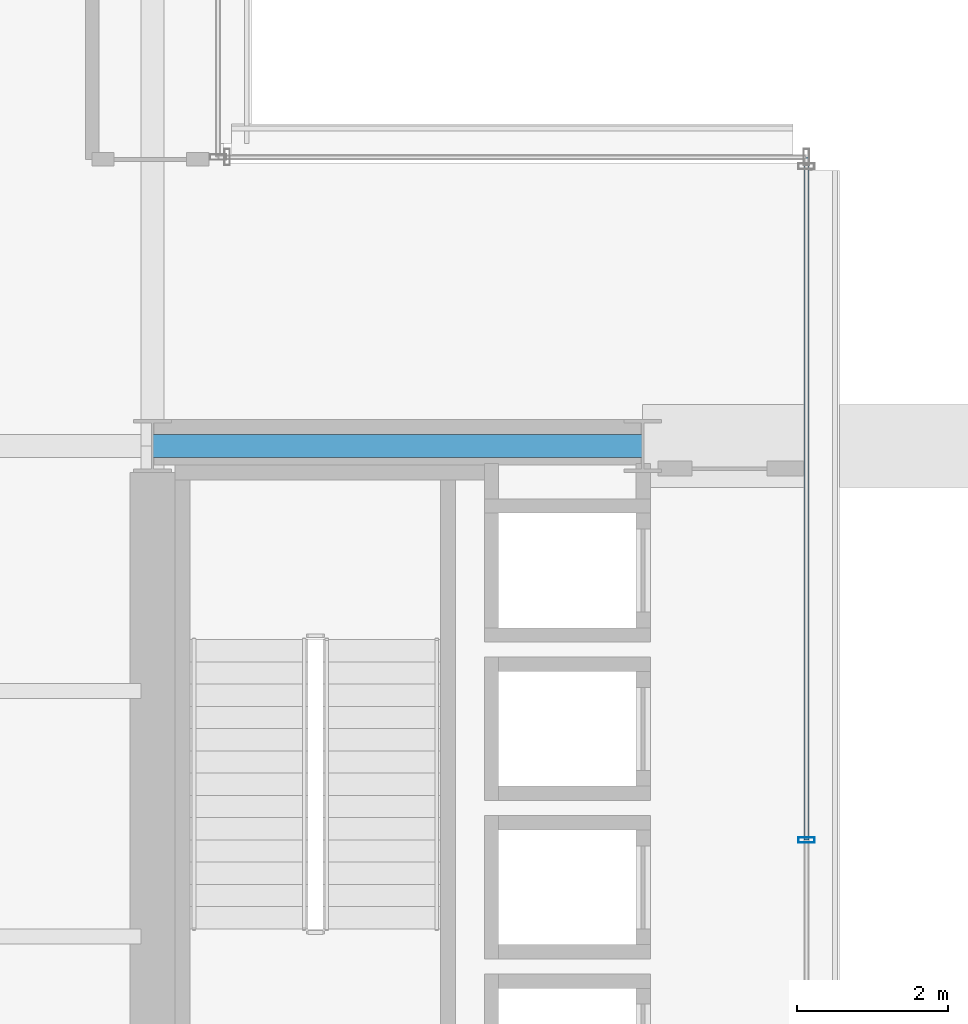
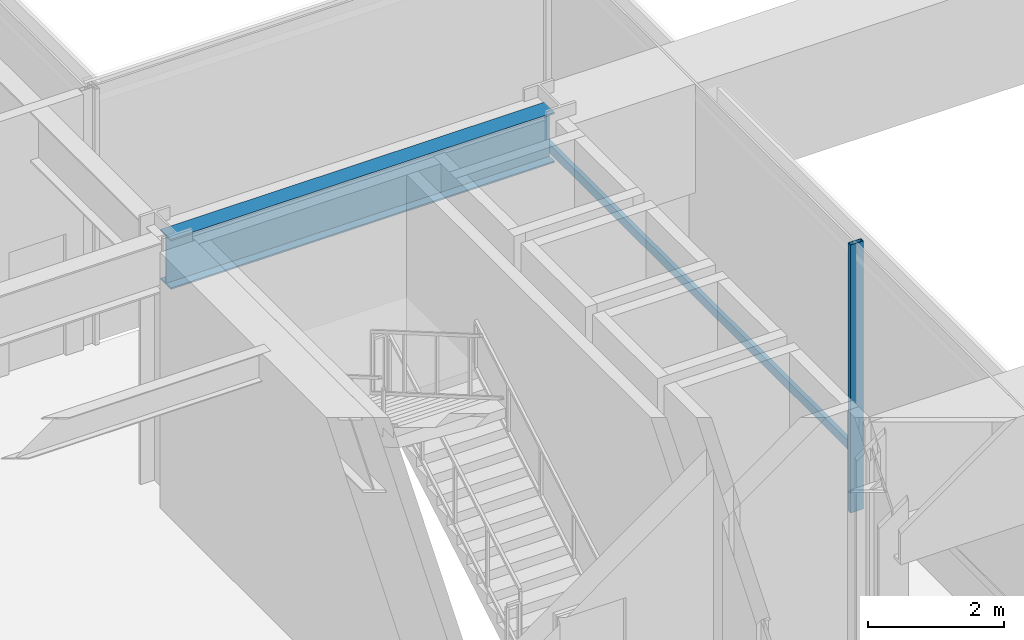
# One storey, part 17 of 42: 2 members, 1 beam, 1 element without a shape of its own.
"""IFC4 building model written with IfcOpenShell, lengths in metres."""

import ifcopenshell
import ifcopenshell.guid

model = None  # the IFC model being written
_history = None  # IfcOwnerHistory: only IFC2X3 demands one
_inside = {}  # id of a spatial element -> (the spatial element, [elements in it])
_under = {}  # id of a project, library or spatial element -> (it, [spatial elements below it])
_declared = {}  # id of a project -> (the project, [libraries it declares])
_typed = {}  # id of a type object -> (the type object, [elements of that type])
_made_of = {}  # id of a material, layer set ... -> (it, [elements and type objects made of it])


def new_model(schema):
    """Start an empty IFC model of exactly this schema.

    Asked for "IFC4X3", IfcOpenShell would pick the latest addendum, in which some entities
    have other attributes; the version numbers below select the first issue.
    IFC2X3 requires an IfcOwnerHistory on every rooted entity: one is made here for all.
    """
    global model, _history
    if schema == "IFC4X3":
        model = ifcopenshell.file(schema_version=(4, 3, 0, 0))
    else:
        model = ifcopenshell.file(schema=schema)
    _inside.clear()
    _under.clear()
    _declared.clear()
    _typed.clear()
    _made_of.clear()
    _history = None
    if model.schema == "IFC2X3":
        org = make("IfcOrganization", Name="unknown")
        user = make(
            "IfcPersonAndOrganization",
            ThePerson=make("IfcPerson", FamilyName="unknown"),
            TheOrganization=org,
        )
        app = make(
            "IfcApplication",
            ApplicationDeveloper=org,
            Version="unknown",
            ApplicationFullName="unknown",
            ApplicationIdentifier="unknown",
        )
        _history = make(
            "IfcOwnerHistory",
            OwningUser=user,
            OwningApplication=app,
            ChangeAction="ADDED",
            CreationDate=0,
        )
    return model


def make(cls, **values):
    """One entity of the class cls with the attributes given. An attribute that is None is left unset."""
    return model.create_entity(
        cls, **{name: value for name, value in values.items() if value is not None}
    )


def rooted(cls, **values):
    """An entity with a GlobalId (a new one), such as an element, a storey or a relation."""
    return make(cls, GlobalId=ifcopenshell.guid.new(), OwnerHistory=_history, **values)


def si_unit(unit_type, name, prefix=None):
    """IfcSIUnit, for example si_unit("LENGTHUNIT", "METRE", prefix="MILLI")."""
    return make("IfcSIUnit", UnitType=unit_type, Prefix=prefix, Name=name)


def assignment(units):
    """IfcUnitAssignment: the units of a project."""
    return None if units is None else make("IfcUnitAssignment", Units=units)


def point(xyz):
    """IfcCartesianPoint."""
    return None if xyz is None else make("IfcCartesianPoint", Coordinates=xyz)


def direction(xyz):
    """IfcDirection."""
    return None if xyz is None else make("IfcDirection", DirectionRatios=xyz)


def frame(location, z_axis=None, x_axis=None):
    """IfcAxis2Placement3D, a coordinate frame: its origin and axes. An axis left out is left unset."""
    return make(
        "IfcAxis2Placement3D",
        Location=point(location),
        Axis=direction(z_axis),
        RefDirection=direction(x_axis),
    )


def frame_2d(location, x_axis=None):
    """IfcAxis2Placement2D, a coordinate frame in the plane: its origin and x axis."""
    return make(
        "IfcAxis2Placement2D", Location=point(location), RefDirection=direction(x_axis)
    )


def origin():
    """The frame at (0, 0, 0) with its axes left unset."""
    return frame((0.0, 0.0, 0.0))


def origin_2d():
    """The frame at (0, 0) in the plane with its x axis left unset."""
    return frame_2d((0.0, 0.0))


def place(relative_to, where):
    """IfcLocalPlacement: puts the frame where relative to a parent placement (None: the world)."""
    return make(
        "IfcLocalPlacement", PlacementRelTo=relative_to, RelativePlacement=where
    )


def context(
    kind, dimensions, precision=None, world=None, true_north=None, identifier=None
):
    """IfcGeometricRepresentationContext, for example the 3D "Model" context."""
    return make(
        "IfcGeometricRepresentationContext",
        ContextIdentifier=identifier,
        ContextType=kind,
        CoordinateSpaceDimension=dimensions,
        Precision=precision,
        WorldCoordinateSystem=world,
        TrueNorth=true_north,
    )


def subcontext(parent, identifier, kind, view, scale=None):
    """IfcGeometricRepresentationSubContext, for example "Body" below "Model"."""
    return make(
        "IfcGeometricRepresentationSubContext",
        ContextIdentifier=identifier,
        ContextType=kind,
        ParentContext=parent,
        TargetScale=scale,
        TargetView=view,
    )


def project(units=None, contexts=None):
    """IfcProject with its units and contexts."""
    return rooted(
        "IfcProject",
        Name="project",
        RepresentationContexts=contexts,
        UnitsInContext=assignment(units),
    )


def spatial(cls, under=None, at=None, **own):
    """A site, building, storey or space (cls), placed at a placement, below another one or the project."""
    s = rooted(cls, ObjectPlacement=at, **own)
    if under is not None:
        _under.setdefault(under.id(), (under, []))[1].append(s)
    return s


def profile(cls, at=None, kind="AREA", **sizes):
    """A parametric profile (cls). Its sizes go by their IFC names, for example OverallWidth=200.0."""
    return make(cls, ProfileType=kind, Position=at, **sizes)


def hollow_rectangle(**sizes):
    """IfcRectangleHollowProfileDef."""
    return profile("IfcRectangleHollowProfileDef", **sizes)


def i_section(**sizes):
    """IfcIShapeProfileDef."""
    return profile("IfcIShapeProfileDef", **sizes)


def extrude(swept, where, along, depth):
    """IfcExtrudedAreaSolid: the profile swept, set in the frame where, extruded along a direction by depth."""
    return make(
        "IfcExtrudedAreaSolid",
        SweptArea=swept,
        Position=where,
        ExtrudedDirection=direction(along),
        Depth=depth,
    )


def shape(context_of_items, identifier, shape_type, items):
    """IfcShapeRepresentation: the items that make up one representation, for example the "Body"."""
    return make(
        "IfcShapeRepresentation",
        ContextOfItems=context_of_items,
        RepresentationIdentifier=identifier,
        RepresentationType=shape_type,
        Items=items,
    )


def material(Name=None, Category=None):
    """IfcMaterial."""
    return make("IfcMaterial", Name=Name, Category=Category)


def layer(
    of_material, thickness, ventilated=None, Name=None, Category=None, Priority=None
):
    """IfcMaterialLayer: one layer of a wall or slab, of a material (None: an air gap)."""
    return make(
        "IfcMaterialLayer",
        Material=of_material,
        LayerThickness=thickness,
        IsVentilated=ventilated,
        Name=Name,
        Category=Category,
        Priority=Priority,
    )


def layer_set(layers, Name=None):
    """IfcMaterialLayerSet."""
    return make("IfcMaterialLayerSet", MaterialLayers=layers, LayerSetName=Name)


def material_profile(
    of_material, cross_section, Name=None, Category=None, Priority=None
):
    """IfcMaterialProfile: a cross section and its material."""
    return make(
        "IfcMaterialProfile",
        Name=Name,
        Material=of_material,
        Profile=cross_section,
        Priority=Priority,
        Category=Category,
    )


def profile_set(profiles, Name=None, composite=None):
    """IfcMaterialProfileSet."""
    return make(
        "IfcMaterialProfileSet",
        Name=Name,
        MaterialProfiles=profiles,
        CompositeProfile=composite,
    )


def made_of(thing, what):
    """Note that an element or type object is made of a material, layer set ...; save() writes the relation."""
    if what is not None:
        _made_of.setdefault(what.id(), (what, []))[1].append(thing)
    return thing


def type_object(cls, material=None, **own):
    """A type object (cls), such as IfcWallType, which elements share."""
    return made_of(rooted(cls, **own), material)


def element(
    cls,
    number,
    at=None,
    inside=None,
    cuts=None,
    type_object=None,
    material=None,
    context=None,
    identifier="Body",
    shape_type=None,
    held_by="IfcProductDefinitionShape",
    body=None,
    shapes=None,
    **own,
):
    """One element of the class cls, such as IfcWall. Its Tag is "e" and its number.

    at: its placement. inside: the storey or other place that contains it. cuts: it is an
    opening in that element (IfcRelVoidsElement). A single representation is given by context,
    identifier, shape_type and body (its items); several are given by shapes. held_by: the class
    of the entity that holds the representations. save() writes the other relations.
    """
    e = rooted(cls, Tag="e%d" % number, ObjectPlacement=at, **own)
    if body is not None:
        shapes = [shape(context, identifier, shape_type, body)]
    if shapes is not None:
        e.Representation = make(held_by, Representations=shapes)
    if inside is not None:
        _inside.setdefault(inside.id(), (inside, []))[1].append(e)
    if cuts is not None:
        rooted(
            "IfcRelVoidsElement", RelatingBuildingElement=cuts, RelatedOpeningElement=e
        )
    if type_object is not None:
        _typed.setdefault(type_object.id(), (type_object, []))[1].append(e)
    return made_of(e, material)


def aggregate(whole, parts):
    """IfcRelAggregates: a whole, such as a stair, and the parts it consists of."""
    return rooted("IfcRelAggregates", RelatingObject=whole, RelatedObjects=parts)


def save(model, path):
    """Write the relations noted so far, then the file.

    IfcRelAggregates (storeys below a building ...), IfcRelContainedInSpatialStructure (elements
    in a storey), IfcRelDefinesByType, IfcRelAssociatesMaterial and IfcRelDeclares: one each for
    every whole, place, type object, material and project.
    """
    for whole, parts in _under.values():
        aggregate(whole, parts)
    for where, things in _inside.values():
        rooted(
            "IfcRelContainedInSpatialStructure",
            RelatedElements=things,
            RelatingStructure=where,
        )
    for kind, things in _typed.values():
        rooted("IfcRelDefinesByType", RelatedObjects=things, RelatingType=kind)
    for what, things in _made_of.values():
        rooted("IfcRelAssociatesMaterial", RelatedObjects=things, RelatingMaterial=what)
    for by, libraries in _declared.values():
        rooted("IfcRelDeclares", RelatingContext=by, RelatedDefinitions=libraries)
    model.write(path)


model = new_model("IFC4")

# Units and contexts
model_context = context("Model", 3, precision=1e-05, world=origin(), true_north=direction((0.0, 1.0)))
body_context = subcontext(model_context, "Body", "Model", "MODEL_VIEW")
ifc_project = project(units=[si_unit("LENGTHUNIT", "METRE"), si_unit("AREAUNIT", "SQUARE_METRE"), si_unit("VOLUMEUNIT", "CUBIC_METRE"), si_unit("PLANEANGLEUNIT", "RADIAN"), si_unit("MASSUNIT", "GRAM", prefix="KILO")], contexts=[model_context])

# Site, building, storey
site_placement = place(None, origin())
site = spatial("IfcSite", under=ifc_project, at=site_placement, CompositionType="ELEMENT")
building_placement = place(site_placement, origin())
building = spatial("IfcBuilding", under=site, at=building_placement, Name="Brelmoor Portico Tower", CompositionType="ELEMENT")
storey_placement = place(building_placement, frame((0.0, 0.0, 9.60009765625)))
storey = spatial("IfcBuildingStorey", under=building, at=storey_placement, Name="L02", CompositionType="ELEMENT", Elevation=9.60009765625)

# Beam
ifc_material_1 = material(Name="Steel Q355B", Category="steel")
ifc_material_profile_1 = material_profile(ifc_material_1, i_section(OverallWidth=0.300048828125, OverallDepth=0.89990234375, WebThickness=0.01611328125, FlangeThickness=0.028076171875, at=origin_2d()), Name="HN 900x300x16x28")
ifc_profile_set_1 = profile_set([ifc_material_profile_1], Name="Steel Q355B")
beam_type = type_object("IfcBeamType", Name="BM-PG-900", PredefinedType="BEAM", material=ifc_profile_set_1)
beam_placement = place(storey_placement, frame((-14.550048828125, 9.75, 4.1298828125), z_axis=(1.0, 0.0, 0.0), x_axis=(0.0, 1.0, 0.0)))
element("IfcBeam", 1, at=beam_placement, inside=storey, type_object=beam_type, Name="L02 Primary Floor Girder PG-36", PredefinedType="BEAM", context=body_context, shape_type="SweptSolid", body=[
    extrude(i_section(OverallWidth=0.300048828125, OverallDepth=0.89990234375, WebThickness=0.01611328125, FlangeThickness=0.028076171875, at=origin_2d()), origin(), (0.0, 0.0, 1.0), 6.5),
])

# Curtain wall, members
ifc_material_2 = material(Name="Anodised Aluminium Alloy 6063-T6", Category="aluminium")
ifc_layer = layer(ifc_material_2, 0.179931640625)
ifc_layer_set = layer_set([ifc_layer], Name="Anodised Aluminium Alloy 6063-T6")
curtain_wall_type = type_object("IfcCurtainWallType", Name="CW-PODIUM-ARCH", PredefinedType="NOTDEFINED", material=ifc_layer_set)
curtain_wall_placement = place(storey_placement, origin())
curtain_wall = element("IfcCurtainWall", 2, at=curtain_wall_placement, inside=storey, type_object=curtain_wall_type, Name="L02 Curtain Wall CW-L02-15", PredefinedType="NOTDEFINED")
ifc_material_profile_2 = material_profile(ifc_material_2, hollow_rectangle(XDim=0.074951171875, YDim=0.219970703125, WallThickness=0.0048828125, at=origin_2d()), Name="ALU MULLION 75x220")
ifc_profile_set_2 = profile_set([ifc_material_profile_2], Name="Anodised Aluminium Alloy 6063-T6")
member_type_1 = type_object("IfcMemberType", Name="MB-CW-MULL-220", PredefinedType="MULLION", material=ifc_profile_set_2)
member_1_placement = place(storey_placement, frame((-5.8798828125, 4.526611328125, -0.22021484375), z_axis=(0.0, 0.0, 1.0), x_axis=(0.0, 1.0, 0.0)))
member_1 = element("IfcMember", 3, at=member_1_placement, type_object=member_type_1, Name="CW-L02-15 Mullion 02", PredefinedType="MULLION", context=body_context, shape_type="SweptSolid", body=[
    extrude(hollow_rectangle(XDim=0.074951171875, YDim=0.219970703125, WallThickness=0.0048828125, at=origin_2d()), origin(), (0.0, 0.0, 1.0), 4.800048828125),
])
ifc_material_profile_3 = material_profile(ifc_material_2, hollow_rectangle(XDim=0.070068359375, YDim=0.159912109375, WallThickness=0.00390625, at=origin_2d()), Name="ALU TRANSOM 70x160")
ifc_profile_set_3 = profile_set([ifc_material_profile_3], Name="Anodised Aluminium Alloy 6063-T6")
member_type_2 = type_object("IfcMemberType", Name="MB-CW-TRAN-160", PredefinedType="USERDEFINED", material=ifc_profile_set_3)
member_2_placement = place(storey_placement, frame((-5.8798828125, 4.526611328125, 0.849853515625), z_axis=(0.0, 1.0, 0.0), x_axis=(-1.0, 0.0, 0.0)))
member_2 = element("IfcMember", 4, at=member_2_placement, type_object=member_type_2, Name="CW-L02-15 Transom 1-02", ObjectType="TRANSOM", PredefinedType="USERDEFINED", context=body_context, shape_type="SweptSolid", body=[
    extrude(hollow_rectangle(XDim=0.070068359375, YDim=0.159912109375, WallThickness=0.00390625, at=origin_2d()), origin(), (0.0, 0.0, 1.0), 9.053466796875),
])
aggregate(curtain_wall, [member_1, member_2])

save(model, "model.ifc")
